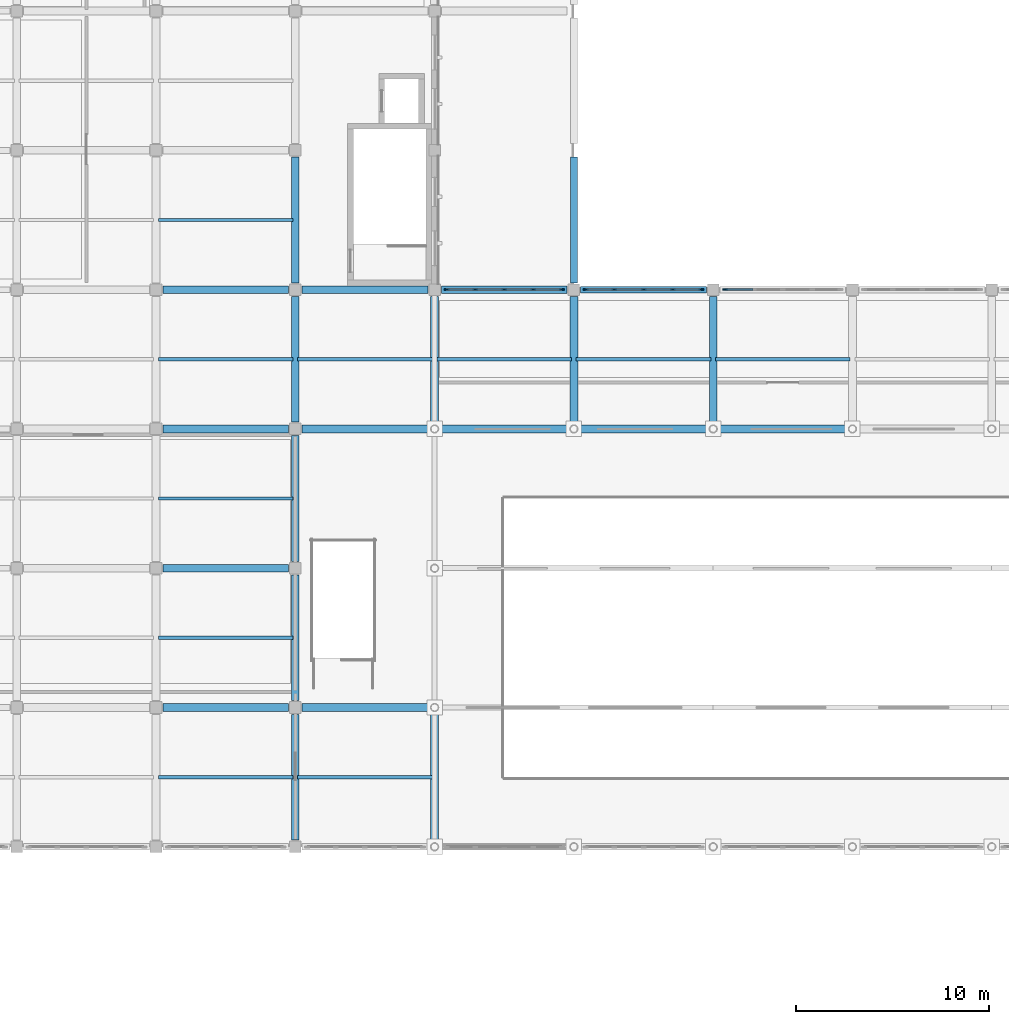
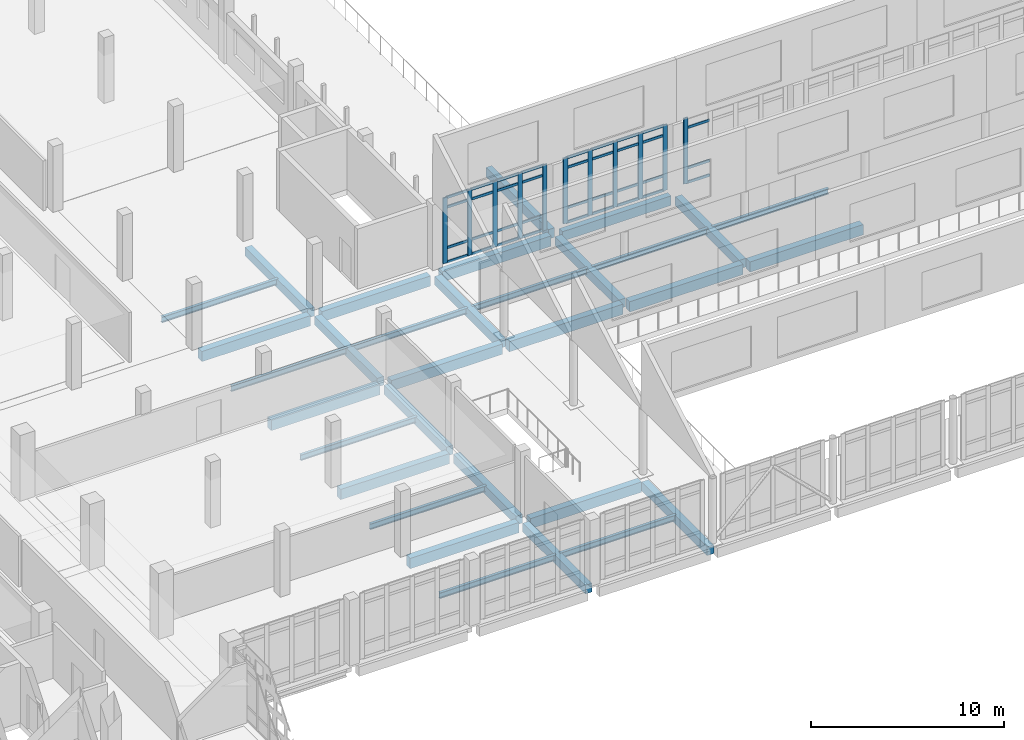
# One storey, part 14 of 62: 46 members, 32 beams, 3 elements without a shape of their own.
"""IFC4 building model written with IfcOpenShell, lengths in metres."""

from ifc_helpers import new_model, si_unit, direction, frame, origin, origin_2d, place, context, subcontext, project, spatial, rectangle, i_section, extrude, material, layer, layer_set, material_profile, profile_set, type_object, element, aggregate, save


model = new_model("IFC4")

# Units and contexts
model_context = context("Model", 3, precision=1e-05, world=origin(), true_north=direction((0.0, 1.0)))
body_context = subcontext(model_context, "Body", "Model", "MODEL_VIEW")
ifc_project = project(units=[si_unit("LENGTHUNIT", "METRE"), si_unit("AREAUNIT", "SQUARE_METRE"), si_unit("VOLUMEUNIT", "CUBIC_METRE"), si_unit("PLANEANGLEUNIT", "RADIAN"), si_unit("MASSUNIT", "GRAM", prefix="KILO")], contexts=[model_context])

# Site, building, storey
site_placement = place(None, origin())
site = spatial("IfcSite", under=ifc_project, at=site_placement, CompositionType="ELEMENT")
building_placement = place(site_placement, origin())
building = spatial("IfcBuilding", under=site, at=building_placement, Name="Valkovuoma Quantum and Materials Research Institute", CompositionType="ELEMENT")
storey_placement = place(building_placement, frame((0.0, 0.0, 13.1201171875)))
storey = spatial("IfcBuildingStorey", under=building, at=storey_placement, Name="L03", CompositionType="ELEMENT", Elevation=13.1201171875)

# Beams
ifc_material_1 = material(Name="Steel S355J2", Category="steel")
ifc_material_profile_1 = material_profile(ifc_material_1, i_section(OverallWidth=0.169921875, OverallDepth=0.360107421875, WebThickness=0.008056640625, FlangeThickness=0.0126953125, FilletRadius=0.01806640625, at=origin_2d()), Name="Steel S355J2")
ifc_profile_set_1 = profile_set([ifc_material_profile_1], Name="Steel S355J2")
beam_type_1 = type_object("IfcBeamType", Name="Beam-B-JST360", PredefinedType="JOIST", material=ifc_profile_set_1)
for number, where, z_axis, x_axis, name in (
    (1, (28.919921875, 39.60009765625, -0.530029296875), (1.0, 0.0, 0.0), (0.0, 1.0, 0.0), "L03 floor joist 1705"),
    (2, (36.1201171875, 39.60009765625, -0.530029296875), (1.0, 0.0, 0.0), (0.0, 1.0, 0.0), "L03 floor joist 1706"),
    (3, (28.919921875, 46.800048828125, -0.530029296875), (1.0, 0.0, 0.0), (0.0, 1.0, 0.0), "L03 floor joist 1716"),
    (4, (28.919921875, 54.0, -0.530029296875), (1.0, 0.0, 0.0), (0.0, 1.0, 0.0), "L03 floor joist 1726"),
    (5, (28.919921875, 61.199951171875, -0.530029296875), (1.0, 0.0, 0.0), (0.0, 1.0, 0.0), "L03 floor joist 1736"),
    (6, (36.1201171875, 61.199951171875, -0.530029296875), (1.0, 0.0, 0.0), (0.0, 1.0, 0.0), "L03 floor joist 1737"),
    (7, (43.320068359375, 61.199951171875, -0.530029296875), (1.0, 0.0, 0.0), (0.0, 1.0, 0.0), "L03 floor joist 1738"),
    (8, (50.52001953125, 61.199951171875, -0.530029296875), (1.0, 0.0, 0.0), (0.0, 1.0, 0.0), "L03 floor joist 1739"),
    (9, (57.719970703125, 61.199951171875, -0.530029296875), (1.0, 0.0, 0.0), (0.0, 1.0, 0.0), "L03 floor joist 1740"),
    (10, (28.919921875, 68.39990234375, -0.530029296875), (1.0, 0.0, 0.0), (0.0, 1.0, 0.0), "L03 floor joist 1754"),
):
    element("IfcBeam", number, at=place(storey_placement, frame(where, z_axis=z_axis, x_axis=x_axis)), inside=storey, type_object=beam_type_1, Name=name, PredefinedType="JOIST", context=body_context, shape_type="SweptSolid", body=[
        extrude(i_section(OverallWidth=0.169921875, OverallDepth=0.360107421875, WebThickness=0.008056640625, FlangeThickness=0.0126953125, FilletRadius=0.01806640625, at=origin_2d()), origin(), (0.0, 0.0, 1.0), 6.9599609375),
    ])
ifc_material_2 = material(Name="Concrete C40/50", Category="concrete")
ifc_material_profile_2 = material_profile(ifc_material_2, rectangle(XDim=0.39990234375, YDim=0.550048828125, at=origin_2d()), Name="Concrete C40/50")
ifc_profile_set_2 = profile_set([ifc_material_profile_2], Name="Concrete C40/50")
beam_type_2 = type_object("IfcBeamType", Name="Beam-B-RC550", PredefinedType="BEAM", material=ifc_profile_set_2)
for number, where, z_axis, x_axis, name in (
    (11, (36.0, 36.35009765625, -0.625), (0.0, 1.0, 0.0), (-1.0, 0.0, 0.0), "L03 beam Y-1605"),
    (12, (36.0, 43.550048828125, -0.625), (0.0, 1.0, 0.0), (-1.0, 0.0, 0.0), "L03 beam Y-1606"),
    (13, (36.0, 50.75, -0.625), (0.0, 1.0, 0.0), (-1.0, 0.0, 0.0), "L03 beam Y-1607"),
    (14, (36.0, 57.949951171875, -0.625), (0.0, 1.0, 0.0), (-1.0, 0.0, 0.0), "L03 beam Y-1608"),
    (15, (36.0, 65.14990234375, -0.625), (0.0, 1.0, 0.0), (-1.0, 0.0, 0.0), "L03 beam Y-1609"),
):
    element("IfcBeam", number, at=place(storey_placement, frame(where, z_axis=z_axis, x_axis=x_axis)), inside=storey, type_object=beam_type_2, Name=name, PredefinedType="BEAM", context=body_context, shape_type="SweptSolid", body=[
        extrude(rectangle(XDim=0.39990234375, YDim=0.550048828125, at=origin_2d()), origin(), (0.0, 0.0, 1.0), 6.5),
    ])
beam_1_placement = place(storey_placement, frame((43.199951171875, 36.203125, -0.625), z_axis=(0.0, 1.0, 0.0), x_axis=(-1.0, 0.0, 0.0)))
element("IfcBeam", 16, at=beam_1_placement, inside=storey, type_object=beam_type_2, Name="L03 beam Y-1615", PredefinedType="BEAM", context=body_context, shape_type="SweptSolid", body=[
    extrude(rectangle(XDim=0.39990234375, YDim=0.550048828125, at=origin_2d()), origin(), (0.0, 0.0, 1.0), 6.793701171875),
])
for number, where, z_axis, x_axis, name in (
    (17, (43.199951171875, 57.80322265625, -0.625), (0.0, 1.0, 0.0), (-1.0, 0.0, 0.0), "L03 beam Y-1616"),
    (18, (50.39990234375, 57.80322265625, -0.625), (0.0, 1.0, 0.0), (-1.0, 0.0, 0.0), "L03 beam Y-1621"),
    (19, (57.60009765625, 57.80322265625, -0.625), (0.0, 1.0, 0.0), (-1.0, 0.0, 0.0), "L03 beam Y-1628"),
):
    element("IfcBeam", number, at=place(storey_placement, frame(where, z_axis=z_axis, x_axis=x_axis)), inside=storey, type_object=beam_type_2, Name=name, PredefinedType="BEAM", context=body_context, shape_type="SweptSolid", body=[
        extrude(rectangle(XDim=0.39990234375, YDim=0.550048828125, at=origin_2d()), origin(), (0.0, 0.0, 1.0), 6.646728515625),
    ])
ifc_material_3 = material(Name="Concrete C40/50", Category="concrete")
ifc_material_profile_3 = material_profile(ifc_material_3, rectangle(XDim=0.39990234375, YDim=0.64990234375, at=origin_2d()), Name="Concrete C40/50")
ifc_profile_set_3 = profile_set([ifc_material_profile_3], Name="Concrete C40/50")
beam_type_3 = type_object("IfcBeamType", Name="Beam-B-RC650", PredefinedType="BEAM", material=ifc_profile_set_3)
beam_2_placement = place(storey_placement, frame((29.14990234375, 43.199951171875, -0.675048828125), z_axis=(1.0, 0.0, 0.0), x_axis=(0.0, 1.0, 0.0)))
element("IfcBeam", 20, at=beam_2_placement, inside=storey, type_object=beam_type_3, Name="L03 beam X-1447", PredefinedType="BEAM", context=body_context, shape_type="SweptSolid", body=[
    extrude(rectangle(XDim=0.39990234375, YDim=0.64990234375, at=origin_2d()), origin(), (0.0, 0.0, 1.0), 6.5),
])
beam_3_placement = place(storey_placement, frame((36.35009765625, 43.199951171875, -0.675048828125), z_axis=(1.0, 0.0, 0.0), x_axis=(0.0, 1.0, 0.0)))
element("IfcBeam", 21, at=beam_3_placement, inside=storey, type_object=beam_type_3, Name="L03 beam X-1448", PredefinedType="BEAM", context=body_context, shape_type="SweptSolid", body=[
    extrude(rectangle(XDim=0.39990234375, YDim=0.64990234375, at=origin_2d()), origin(), (0.0, 0.0, 1.0), 6.646728515625),
])
for number, where, z_axis, x_axis, name in (
    (22, (29.14990234375, 50.39990234375, -0.675048828125), (1.0, 0.0, 0.0), (0.0, 1.0, 0.0), "L03 beam X-1458"),
    (23, (29.14990234375, 57.60009765625, -0.675048828125), (1.0, 0.0, 0.0), (0.0, 1.0, 0.0), "L03 beam X-1468"),
):
    element("IfcBeam", number, at=place(storey_placement, frame(where, z_axis=z_axis, x_axis=x_axis)), inside=storey, type_object=beam_type_3, Name=name, PredefinedType="BEAM", context=body_context, shape_type="SweptSolid", body=[
        extrude(rectangle(XDim=0.39990234375, YDim=0.64990234375, at=origin_2d()), origin(), (0.0, 0.0, 1.0), 6.5),
    ])
beam_4_placement = place(storey_placement, frame((36.35009765625, 57.60009765625, -0.675048828125), z_axis=(1.0, 0.0, 0.0), x_axis=(0.0, 1.0, 0.0)))
element("IfcBeam", 24, at=beam_4_placement, inside=storey, type_object=beam_type_3, Name="L03 beam X-1469", PredefinedType="BEAM", context=body_context, shape_type="SweptSolid", body=[
    extrude(rectangle(XDim=0.39990234375, YDim=0.64990234375, at=origin_2d()), origin(), (0.0, 0.0, 1.0), 6.646728515625),
])
for number, where, z_axis, x_axis, name in (
    (25, (43.4033203125, 57.60009765625, -0.675048828125), (1.0, 0.0, 0.0), (0.0, 1.0, 0.0), "L03 beam X-1470"),
    (26, (50.603271484375, 57.60009765625, -0.675048828125), (1.0, 0.0, 0.0), (0.0, 1.0, 0.0), "L03 beam X-1471"),
    (27, (57.80322265625, 57.60009765625, -0.675048828125), (1.0, 0.0, 0.0), (0.0, 1.0, 0.0), "L03 beam X-1472"),
):
    element("IfcBeam", number, at=place(storey_placement, frame(where, z_axis=z_axis, x_axis=x_axis)), inside=storey, type_object=beam_type_3, Name=name, PredefinedType="BEAM", context=body_context, shape_type="SweptSolid", body=[
        extrude(rectangle(XDim=0.39990234375, YDim=0.64990234375, at=origin_2d()), origin(), (0.0, 0.0, 1.0), 6.79345703125),
    ])
for number, where, z_axis, x_axis, name in (
    (28, (29.14990234375, 64.800048828125, -0.675048828125), (1.0, 0.0, 0.0), (0.0, 1.0, 0.0), "L03 beam X-1487"),
    (29, (36.35009765625, 64.800048828125, -0.675048828125), (1.0, 0.0, 0.0), (0.0, 1.0, 0.0), "L03 beam X-1488"),
    (30, (43.550048828125, 64.800048828125, -0.675048828125), (1.0, 0.0, 0.0), (0.0, 1.0, 0.0), "L03 beam X-1489"),
):
    element("IfcBeam", number, at=place(storey_placement, frame(where, z_axis=z_axis, x_axis=x_axis)), inside=storey, type_object=beam_type_3, Name=name, PredefinedType="BEAM", context=body_context, shape_type="SweptSolid", body=[
        extrude(rectangle(XDim=0.39990234375, YDim=0.64990234375, at=origin_2d()), origin(), (0.0, 0.0, 1.0), 6.5),
    ])
ifc_material_4 = material(Name="Concrete C40/50", Category="concrete")
ifc_material_profile_4 = material_profile(ifc_material_4, rectangle(XDim=0.35009765625, YDim=0.60009765625, at=origin_2d()), Name="Concrete C40/50")
ifc_profile_set_4 = profile_set([ifc_material_profile_4], Name="Concrete C40/50")
beam_type_4 = type_object("IfcBeamType", Name="Beam-B-SPN600", PredefinedType="SPANDREL", material=ifc_profile_set_4)
for number, where, z_axis, x_axis, name in (
    (31, (50.75, 64.800048828125, -0.650146484375), (1.0, 0.0, 0.0), (0.0, 1.0, 0.0), "L03 beam X-1490"),
    (32, (50.39990234375, 65.14990234375, -0.650146484375), (0.0, 1.0, 0.0), (-1.0, 0.0, 0.0), "L03 beam Y-1622"),
):
    element("IfcBeam", number, at=place(storey_placement, frame(where, z_axis=z_axis, x_axis=x_axis)), inside=storey, type_object=beam_type_4, Name=name, PredefinedType="SPANDREL", context=body_context, shape_type="SweptSolid", body=[
        extrude(rectangle(XDim=0.35009765625, YDim=0.60009765625, at=origin_2d()), origin(), (0.0, 0.0, 1.0), 6.5),
    ])

# Curtain wall, members
ifc_material_5 = material(Name="Thermally broken aluminium and triple low-E glazing", Category="aluminium")
ifc_layer = layer(ifc_material_5, 0.219970703125)
ifc_layer_set = layer_set([ifc_layer], Name="Thermally broken aluminium and triple low-E glazing")
curtain_wall_type = type_object("IfcCurtainWallType", Name="CW-CW-02", PredefinedType="NOTDEFINED", material=ifc_layer_set)
curtain_wall_1_placement = place(storey_placement, origin())
curtain_wall_1 = element("IfcCurtainWall", 33, at=curtain_wall_1_placement, inside=storey, type_object=curtain_wall_type, Name="L03 curtain wall 211", PredefinedType="NOTDEFINED")
ifc_material_6 = material(Name="Anodised aluminium 6060-T66", Category="aluminium")
ifc_material_profile_5 = material_profile(ifc_material_6, rectangle(XDim=0.080078125, YDim=0.260009765625, at=origin_2d()), Name="Anodised aluminium 6060-T66")
ifc_profile_set_5 = profile_set([ifc_material_profile_5], Name="Anodised aluminium 6060-T66")
member_type_1 = type_object("IfcMemberType", Name="CWMull-CWM-03", PredefinedType="MULLION", material=ifc_profile_set_5)
member_1_placement = place(storey_placement, frame((43.820068359375, 64.800048828125, 0.0), z_axis=(0.0, 0.0, 1.0), x_axis=(0.0, 1.0, 0.0)))
member_1 = element("IfcMember", 34, at=member_1_placement, type_object=member_type_1, Name="CW-02 mullion 1", PredefinedType="MULLION", context=body_context, shape_type="SweptSolid", body=[
    extrude(rectangle(XDim=0.080078125, YDim=0.260009765625, at=origin_2d()), origin(), (0.0, 0.0, 1.0), 4.159912109375),
])
member_2_placement = place(storey_placement, frame((45.2900390625, 64.800048828125, 0.0), z_axis=(0.0, 0.0, 1.0), x_axis=(0.0, 1.0, 0.0)))
member_2 = element("IfcMember", 35, at=member_2_placement, type_object=member_type_1, Name="CW-02 mullion 2", PredefinedType="MULLION", context=body_context, shape_type="SweptSolid", body=[
    extrude(rectangle(XDim=0.080078125, YDim=0.260009765625, at=origin_2d()), origin(), (0.0, 0.0, 1.0), 4.159912109375),
])
member_3_placement = place(storey_placement, frame((46.800048828125, 64.800048828125, 0.0), z_axis=(0.0, 0.0, 1.0), x_axis=(0.0, 1.0, 0.0)))
member_3 = element("IfcMember", 36, at=member_3_placement, type_object=member_type_1, Name="CW-02 mullion 3", PredefinedType="MULLION", context=body_context, shape_type="SweptSolid", body=[
    extrude(rectangle(XDim=0.080078125, YDim=0.260009765625, at=origin_2d()), origin(), (0.0, 0.0, 1.0), 4.159912109375),
])
member_4_placement = place(storey_placement, frame((48.31005859375, 64.800048828125, 0.0), z_axis=(0.0, 0.0, 1.0), x_axis=(0.0, 1.0, 0.0)))
member_4 = element("IfcMember", 37, at=member_4_placement, type_object=member_type_1, Name="CW-02 mullion 4", PredefinedType="MULLION", context=body_context, shape_type="SweptSolid", body=[
    extrude(rectangle(XDim=0.080078125, YDim=0.260009765625, at=origin_2d()), origin(), (0.0, 0.0, 1.0), 4.159912109375),
])
member_5_placement = place(storey_placement, frame((49.780029296875, 64.800048828125, 0.0), z_axis=(0.0, 0.0, 1.0), x_axis=(0.0, 1.0, 0.0)))
member_5 = element("IfcMember", 38, at=member_5_placement, type_object=member_type_1, Name="CW-02 mullion 5", PredefinedType="MULLION", context=body_context, shape_type="SweptSolid", body=[
    extrude(rectangle(XDim=0.080078125, YDim=0.260009765625, at=origin_2d()), origin(), (0.0, 0.0, 1.0), 4.159912109375),
])

curtain_wall_2_placement = place(storey_placement, origin())
curtain_wall_2 = element("IfcCurtainWall", 39, at=curtain_wall_2_placement, inside=storey, type_object=curtain_wall_type, Name="L03 curtain wall 212", PredefinedType="NOTDEFINED")
member_6_placement = place(storey_placement, frame((51.02001953125, 64.800048828125, 0.0), z_axis=(0.0, 0.0, 1.0), x_axis=(0.0, 1.0, 0.0)))
member_6 = element("IfcMember", 40, at=member_6_placement, type_object=member_type_1, Name="CW-02 mullion 1", PredefinedType="MULLION", context=body_context, shape_type="SweptSolid", body=[
    extrude(rectangle(XDim=0.080078125, YDim=0.260009765625, at=origin_2d()), origin(), (0.0, 0.0, 1.0), 4.159912109375),
])
member_7_placement = place(storey_placement, frame((52.489990234375, 64.800048828125, 0.0), z_axis=(0.0, 0.0, 1.0), x_axis=(0.0, 1.0, 0.0)))
member_7 = element("IfcMember", 41, at=member_7_placement, type_object=member_type_1, Name="CW-02 mullion 2", PredefinedType="MULLION", context=body_context, shape_type="SweptSolid", body=[
    extrude(rectangle(XDim=0.080078125, YDim=0.260009765625, at=origin_2d()), origin(), (0.0, 0.0, 1.0), 4.159912109375),
])
member_8_placement = place(storey_placement, frame((54.0, 64.800048828125, 0.0), z_axis=(0.0, 0.0, 1.0), x_axis=(0.0, 1.0, 0.0)))
member_8 = element("IfcMember", 42, at=member_8_placement, type_object=member_type_1, Name="CW-02 mullion 3", PredefinedType="MULLION", context=body_context, shape_type="SweptSolid", body=[
    extrude(rectangle(XDim=0.080078125, YDim=0.260009765625, at=origin_2d()), origin(), (0.0, 0.0, 1.0), 4.159912109375),
])
member_9_placement = place(storey_placement, frame((55.510009765625, 64.800048828125, 0.0), z_axis=(0.0, 0.0, 1.0), x_axis=(0.0, 1.0, 0.0)))
member_9 = element("IfcMember", 43, at=member_9_placement, type_object=member_type_1, Name="CW-02 mullion 4", PredefinedType="MULLION", context=body_context, shape_type="SweptSolid", body=[
    extrude(rectangle(XDim=0.080078125, YDim=0.260009765625, at=origin_2d()), origin(), (0.0, 0.0, 1.0), 4.159912109375),
])
member_10_placement = place(storey_placement, frame((56.97998046875, 64.800048828125, 0.0), z_axis=(0.0, 0.0, 1.0), x_axis=(0.0, 1.0, 0.0)))
member_10 = element("IfcMember", 44, at=member_10_placement, type_object=member_type_1, Name="CW-02 mullion 5", PredefinedType="MULLION", context=body_context, shape_type="SweptSolid", body=[
    extrude(rectangle(XDim=0.080078125, YDim=0.260009765625, at=origin_2d()), origin(), (0.0, 0.0, 1.0), 4.159912109375),
])

# Curtain wall, member
curtain_wall_3_placement = place(storey_placement, origin())
curtain_wall_3 = element("IfcCurtainWall", 45, at=curtain_wall_3_placement, inside=storey, type_object=curtain_wall_type, Name="L03 curtain wall 213", PredefinedType="NOTDEFINED")
member_11_placement = place(storey_placement, frame((58.219970703125, 64.800048828125, 0.0), z_axis=(0.0, 0.0, 1.0), x_axis=(0.0, 1.0, 0.0)))
member_11 = element("IfcMember", 46, at=member_11_placement, type_object=member_type_1, Name="CW-02 mullion 1", PredefinedType="MULLION", context=body_context, shape_type="SweptSolid", body=[
    extrude(rectangle(XDim=0.080078125, YDim=0.260009765625, at=origin_2d()), origin(), (0.0, 0.0, 1.0), 4.159912109375),
])

# Member
ifc_material_7 = material(Name="Anodised aluminium 6060-T66", Category="aluminium")
ifc_material_profile_6 = material_profile(ifc_material_7, rectangle(XDim=0.074951171875, YDim=0.159912109375, at=origin_2d()), Name="Anodised aluminium 6060-T66")
ifc_profile_set_6 = profile_set([ifc_material_profile_6], Name="Anodised aluminium 6060-T66")
member_type_2 = type_object("IfcMemberType", Name="CWTran-CWT-02", PredefinedType="USERDEFINED", material=ifc_profile_set_6)
member_12_placement = place(storey_placement, frame((43.860107421875, 64.800048828125, 0.037353515625), z_axis=(1.0, 0.0, 0.0), x_axis=(0.0, 1.0, 0.0)))
member_12 = element("IfcMember", 47, at=member_12_placement, type_object=member_type_2, Name="CW-02 transom 1.1", ObjectType="TRANSOM", PredefinedType="USERDEFINED", context=body_context, shape_type="SweptSolid", body=[
    extrude(rectangle(XDim=0.074951171875, YDim=0.159912109375, at=origin_2d()), origin(), (0.0, 0.0, 1.0), 1.389892578125),
])

member_13_placement = place(storey_placement, frame((43.860107421875, 64.800048828125, 0.949951171875), z_axis=(1.0, 0.0, 0.0), x_axis=(0.0, 1.0, 0.0)))
member_13 = element("IfcMember", 48, at=member_13_placement, type_object=member_type_2, Name="CW-02 transom 1.2", ObjectType="TRANSOM", PredefinedType="USERDEFINED", context=body_context, shape_type="SweptSolid", body=[
    extrude(rectangle(XDim=0.074951171875, YDim=0.159912109375, at=origin_2d()), origin(), (0.0, 0.0, 1.0), 1.389892578125),
])

member_14_placement = place(storey_placement, frame((43.860107421875, 64.800048828125, 3.509765625), z_axis=(1.0, 0.0, 0.0), x_axis=(0.0, 1.0, 0.0)))
member_14 = element("IfcMember", 49, at=member_14_placement, type_object=member_type_2, Name="CW-02 transom 1.3", ObjectType="TRANSOM", PredefinedType="USERDEFINED", context=body_context, shape_type="SweptSolid", body=[
    extrude(rectangle(XDim=0.074951171875, YDim=0.159912109375, at=origin_2d()), origin(), (0.0, 0.0, 1.0), 1.389892578125),
])

member_15_placement = place(storey_placement, frame((43.860107421875, 64.800048828125, 4.122314453125), z_axis=(1.0, 0.0, 0.0), x_axis=(0.0, 1.0, 0.0)))
member_15 = element("IfcMember", 50, at=member_15_placement, type_object=member_type_2, Name="CW-02 transom 1.4", ObjectType="TRANSOM", PredefinedType="USERDEFINED", context=body_context, shape_type="SweptSolid", body=[
    extrude(rectangle(XDim=0.074951171875, YDim=0.159912109375, at=origin_2d()), origin(), (0.0, 0.0, 1.0), 1.389892578125),
])

member_16_placement = place(storey_placement, frame((45.330078125, 64.800048828125, 0.037353515625), z_axis=(1.0, 0.0, 0.0), x_axis=(0.0, 1.0, 0.0)))
member_16 = element("IfcMember", 51, at=member_16_placement, type_object=member_type_2, Name="CW-02 transom 2.1", ObjectType="TRANSOM", PredefinedType="USERDEFINED", context=body_context, shape_type="SweptSolid", body=[
    extrude(rectangle(XDim=0.074951171875, YDim=0.159912109375, at=origin_2d()), origin(), (0.0, 0.0, 1.0), 1.429931640625),
])

member_17_placement = place(storey_placement, frame((45.330078125, 64.800048828125, 0.949951171875), z_axis=(1.0, 0.0, 0.0), x_axis=(0.0, 1.0, 0.0)))
member_17 = element("IfcMember", 52, at=member_17_placement, type_object=member_type_2, Name="CW-02 transom 2.2", ObjectType="TRANSOM", PredefinedType="USERDEFINED", context=body_context, shape_type="SweptSolid", body=[
    extrude(rectangle(XDim=0.074951171875, YDim=0.159912109375, at=origin_2d()), origin(), (0.0, 0.0, 1.0), 1.429931640625),
])

member_18_placement = place(storey_placement, frame((45.330078125, 64.800048828125, 3.509765625), z_axis=(1.0, 0.0, 0.0), x_axis=(0.0, 1.0, 0.0)))
member_18 = element("IfcMember", 53, at=member_18_placement, type_object=member_type_2, Name="CW-02 transom 2.3", ObjectType="TRANSOM", PredefinedType="USERDEFINED", context=body_context, shape_type="SweptSolid", body=[
    extrude(rectangle(XDim=0.074951171875, YDim=0.159912109375, at=origin_2d()), origin(), (0.0, 0.0, 1.0), 1.429931640625),
])

member_19_placement = place(storey_placement, frame((45.330078125, 64.800048828125, 4.122314453125), z_axis=(1.0, 0.0, 0.0), x_axis=(0.0, 1.0, 0.0)))
member_19 = element("IfcMember", 54, at=member_19_placement, type_object=member_type_2, Name="CW-02 transom 2.4", ObjectType="TRANSOM", PredefinedType="USERDEFINED", context=body_context, shape_type="SweptSolid", body=[
    extrude(rectangle(XDim=0.074951171875, YDim=0.159912109375, at=origin_2d()), origin(), (0.0, 0.0, 1.0), 1.429931640625),
])

member_20_placement = place(storey_placement, frame((46.840087890625, 64.800048828125, 0.037353515625), z_axis=(1.0, 0.0, 0.0), x_axis=(0.0, 1.0, 0.0)))
member_20 = element("IfcMember", 55, at=member_20_placement, type_object=member_type_2, Name="CW-02 transom 3.1", ObjectType="TRANSOM", PredefinedType="USERDEFINED", context=body_context, shape_type="SweptSolid", body=[
    extrude(rectangle(XDim=0.074951171875, YDim=0.159912109375, at=origin_2d()), origin(), (0.0, 0.0, 1.0), 1.429931640625),
])

member_21_placement = place(storey_placement, frame((46.840087890625, 64.800048828125, 0.949951171875), z_axis=(1.0, 0.0, 0.0), x_axis=(0.0, 1.0, 0.0)))
member_21 = element("IfcMember", 56, at=member_21_placement, type_object=member_type_2, Name="CW-02 transom 3.2", ObjectType="TRANSOM", PredefinedType="USERDEFINED", context=body_context, shape_type="SweptSolid", body=[
    extrude(rectangle(XDim=0.074951171875, YDim=0.159912109375, at=origin_2d()), origin(), (0.0, 0.0, 1.0), 1.429931640625),
])

member_22_placement = place(storey_placement, frame((46.840087890625, 64.800048828125, 3.509765625), z_axis=(1.0, 0.0, 0.0), x_axis=(0.0, 1.0, 0.0)))
member_22 = element("IfcMember", 57, at=member_22_placement, type_object=member_type_2, Name="CW-02 transom 3.3", ObjectType="TRANSOM", PredefinedType="USERDEFINED", context=body_context, shape_type="SweptSolid", body=[
    extrude(rectangle(XDim=0.074951171875, YDim=0.159912109375, at=origin_2d()), origin(), (0.0, 0.0, 1.0), 1.429931640625),
])

member_23_placement = place(storey_placement, frame((46.840087890625, 64.800048828125, 4.122314453125), z_axis=(1.0, 0.0, 0.0), x_axis=(0.0, 1.0, 0.0)))
member_23 = element("IfcMember", 58, at=member_23_placement, type_object=member_type_2, Name="CW-02 transom 3.4", ObjectType="TRANSOM", PredefinedType="USERDEFINED", context=body_context, shape_type="SweptSolid", body=[
    extrude(rectangle(XDim=0.074951171875, YDim=0.159912109375, at=origin_2d()), origin(), (0.0, 0.0, 1.0), 1.429931640625),
])

member_24_placement = place(storey_placement, frame((48.35009765625, 64.800048828125, 0.037353515625), z_axis=(1.0, 0.0, 0.0), x_axis=(0.0, 1.0, 0.0)))
member_24 = element("IfcMember", 59, at=member_24_placement, type_object=member_type_2, Name="CW-02 transom 4.1", ObjectType="TRANSOM", PredefinedType="USERDEFINED", context=body_context, shape_type="SweptSolid", body=[
    extrude(rectangle(XDim=0.074951171875, YDim=0.159912109375, at=origin_2d()), origin(), (0.0, 0.0, 1.0), 1.389892578125),
])

member_25_placement = place(storey_placement, frame((48.35009765625, 64.800048828125, 0.949951171875), z_axis=(1.0, 0.0, 0.0), x_axis=(0.0, 1.0, 0.0)))
member_25 = element("IfcMember", 60, at=member_25_placement, type_object=member_type_2, Name="CW-02 transom 4.2", ObjectType="TRANSOM", PredefinedType="USERDEFINED", context=body_context, shape_type="SweptSolid", body=[
    extrude(rectangle(XDim=0.074951171875, YDim=0.159912109375, at=origin_2d()), origin(), (0.0, 0.0, 1.0), 1.389892578125),
])

member_26_placement = place(storey_placement, frame((48.35009765625, 64.800048828125, 3.509765625), z_axis=(1.0, 0.0, 0.0), x_axis=(0.0, 1.0, 0.0)))
member_26 = element("IfcMember", 61, at=member_26_placement, type_object=member_type_2, Name="CW-02 transom 4.3", ObjectType="TRANSOM", PredefinedType="USERDEFINED", context=body_context, shape_type="SweptSolid", body=[
    extrude(rectangle(XDim=0.074951171875, YDim=0.159912109375, at=origin_2d()), origin(), (0.0, 0.0, 1.0), 1.389892578125),
])

member_27_placement = place(storey_placement, frame((48.35009765625, 64.800048828125, 4.122314453125), z_axis=(1.0, 0.0, 0.0), x_axis=(0.0, 1.0, 0.0)))
member_27 = element("IfcMember", 62, at=member_27_placement, type_object=member_type_2, Name="CW-02 transom 4.4", ObjectType="TRANSOM", PredefinedType="USERDEFINED", context=body_context, shape_type="SweptSolid", body=[
    extrude(rectangle(XDim=0.074951171875, YDim=0.159912109375, at=origin_2d()), origin(), (0.0, 0.0, 1.0), 1.389892578125),
])

aggregate(curtain_wall_1, [member_1, member_2, member_3, member_4, member_5, member_12, member_13, member_14, member_15, member_16, member_17, member_18, member_19, member_20, member_21, member_22, member_23, member_24, member_25, member_26, member_27])

member_28_placement = place(storey_placement, frame((51.06005859375, 64.800048828125, 0.037353515625), z_axis=(1.0, 0.0, 0.0), x_axis=(0.0, 1.0, 0.0)))
member_28 = element("IfcMember", 63, at=member_28_placement, type_object=member_type_2, Name="CW-02 transom 1.1", ObjectType="TRANSOM", PredefinedType="USERDEFINED", context=body_context, shape_type="SweptSolid", body=[
    extrude(rectangle(XDim=0.074951171875, YDim=0.159912109375, at=origin_2d()), origin(), (0.0, 0.0, 1.0), 1.389892578125),
])

member_29_placement = place(storey_placement, frame((51.06005859375, 64.800048828125, 0.949951171875), z_axis=(1.0, 0.0, 0.0), x_axis=(0.0, 1.0, 0.0)))
member_29 = element("IfcMember", 64, at=member_29_placement, type_object=member_type_2, Name="CW-02 transom 1.2", ObjectType="TRANSOM", PredefinedType="USERDEFINED", context=body_context, shape_type="SweptSolid", body=[
    extrude(rectangle(XDim=0.074951171875, YDim=0.159912109375, at=origin_2d()), origin(), (0.0, 0.0, 1.0), 1.389892578125),
])

member_30_placement = place(storey_placement, frame((51.06005859375, 64.800048828125, 3.509765625), z_axis=(1.0, 0.0, 0.0), x_axis=(0.0, 1.0, 0.0)))
member_30 = element("IfcMember", 65, at=member_30_placement, type_object=member_type_2, Name="CW-02 transom 1.3", ObjectType="TRANSOM", PredefinedType="USERDEFINED", context=body_context, shape_type="SweptSolid", body=[
    extrude(rectangle(XDim=0.074951171875, YDim=0.159912109375, at=origin_2d()), origin(), (0.0, 0.0, 1.0), 1.389892578125),
])

member_31_placement = place(storey_placement, frame((51.06005859375, 64.800048828125, 4.122314453125), z_axis=(1.0, 0.0, 0.0), x_axis=(0.0, 1.0, 0.0)))
member_31 = element("IfcMember", 66, at=member_31_placement, type_object=member_type_2, Name="CW-02 transom 1.4", ObjectType="TRANSOM", PredefinedType="USERDEFINED", context=body_context, shape_type="SweptSolid", body=[
    extrude(rectangle(XDim=0.074951171875, YDim=0.159912109375, at=origin_2d()), origin(), (0.0, 0.0, 1.0), 1.389892578125),
])

member_32_placement = place(storey_placement, frame((52.530029296875, 64.800048828125, 0.037353515625), z_axis=(1.0, 0.0, 0.0), x_axis=(0.0, 1.0, 0.0)))
member_32 = element("IfcMember", 67, at=member_32_placement, type_object=member_type_2, Name="CW-02 transom 2.1", ObjectType="TRANSOM", PredefinedType="USERDEFINED", context=body_context, shape_type="SweptSolid", body=[
    extrude(rectangle(XDim=0.074951171875, YDim=0.159912109375, at=origin_2d()), origin(), (0.0, 0.0, 1.0), 1.429931640625),
])

member_33_placement = place(storey_placement, frame((52.530029296875, 64.800048828125, 0.949951171875), z_axis=(1.0, 0.0, 0.0), x_axis=(0.0, 1.0, 0.0)))
member_33 = element("IfcMember", 68, at=member_33_placement, type_object=member_type_2, Name="CW-02 transom 2.2", ObjectType="TRANSOM", PredefinedType="USERDEFINED", context=body_context, shape_type="SweptSolid", body=[
    extrude(rectangle(XDim=0.074951171875, YDim=0.159912109375, at=origin_2d()), origin(), (0.0, 0.0, 1.0), 1.429931640625),
])

member_34_placement = place(storey_placement, frame((52.530029296875, 64.800048828125, 3.509765625), z_axis=(1.0, 0.0, 0.0), x_axis=(0.0, 1.0, 0.0)))
member_34 = element("IfcMember", 69, at=member_34_placement, type_object=member_type_2, Name="CW-02 transom 2.3", ObjectType="TRANSOM", PredefinedType="USERDEFINED", context=body_context, shape_type="SweptSolid", body=[
    extrude(rectangle(XDim=0.074951171875, YDim=0.159912109375, at=origin_2d()), origin(), (0.0, 0.0, 1.0), 1.429931640625),
])

member_35_placement = place(storey_placement, frame((52.530029296875, 64.800048828125, 4.122314453125), z_axis=(1.0, 0.0, 0.0), x_axis=(0.0, 1.0, 0.0)))
member_35 = element("IfcMember", 70, at=member_35_placement, type_object=member_type_2, Name="CW-02 transom 2.4", ObjectType="TRANSOM", PredefinedType="USERDEFINED", context=body_context, shape_type="SweptSolid", body=[
    extrude(rectangle(XDim=0.074951171875, YDim=0.159912109375, at=origin_2d()), origin(), (0.0, 0.0, 1.0), 1.429931640625),
])

member_36_placement = place(storey_placement, frame((54.0400390625, 64.800048828125, 0.037353515625), z_axis=(1.0, 0.0, 0.0), x_axis=(0.0, 1.0, 0.0)))
member_36 = element("IfcMember", 71, at=member_36_placement, type_object=member_type_2, Name="CW-02 transom 3.1", ObjectType="TRANSOM", PredefinedType="USERDEFINED", context=body_context, shape_type="SweptSolid", body=[
    extrude(rectangle(XDim=0.074951171875, YDim=0.159912109375, at=origin_2d()), origin(), (0.0, 0.0, 1.0), 1.429931640625),
])

member_37_placement = place(storey_placement, frame((54.0400390625, 64.800048828125, 0.949951171875), z_axis=(1.0, 0.0, 0.0), x_axis=(0.0, 1.0, 0.0)))
member_37 = element("IfcMember", 72, at=member_37_placement, type_object=member_type_2, Name="CW-02 transom 3.2", ObjectType="TRANSOM", PredefinedType="USERDEFINED", context=body_context, shape_type="SweptSolid", body=[
    extrude(rectangle(XDim=0.074951171875, YDim=0.159912109375, at=origin_2d()), origin(), (0.0, 0.0, 1.0), 1.429931640625),
])

member_38_placement = place(storey_placement, frame((54.0400390625, 64.800048828125, 3.509765625), z_axis=(1.0, 0.0, 0.0), x_axis=(0.0, 1.0, 0.0)))
member_38 = element("IfcMember", 73, at=member_38_placement, type_object=member_type_2, Name="CW-02 transom 3.3", ObjectType="TRANSOM", PredefinedType="USERDEFINED", context=body_context, shape_type="SweptSolid", body=[
    extrude(rectangle(XDim=0.074951171875, YDim=0.159912109375, at=origin_2d()), origin(), (0.0, 0.0, 1.0), 1.429931640625),
])

member_39_placement = place(storey_placement, frame((54.0400390625, 64.800048828125, 4.122314453125), z_axis=(1.0, 0.0, 0.0), x_axis=(0.0, 1.0, 0.0)))
member_39 = element("IfcMember", 74, at=member_39_placement, type_object=member_type_2, Name="CW-02 transom 3.4", ObjectType="TRANSOM", PredefinedType="USERDEFINED", context=body_context, shape_type="SweptSolid", body=[
    extrude(rectangle(XDim=0.074951171875, YDim=0.159912109375, at=origin_2d()), origin(), (0.0, 0.0, 1.0), 1.429931640625),
])

member_40_placement = place(storey_placement, frame((55.550048828125, 64.800048828125, 0.037353515625), z_axis=(1.0, 0.0, 0.0), x_axis=(0.0, 1.0, 0.0)))
member_40 = element("IfcMember", 75, at=member_40_placement, type_object=member_type_2, Name="CW-02 transom 4.1", ObjectType="TRANSOM", PredefinedType="USERDEFINED", context=body_context, shape_type="SweptSolid", body=[
    extrude(rectangle(XDim=0.074951171875, YDim=0.159912109375, at=origin_2d()), origin(), (0.0, 0.0, 1.0), 1.389892578125),
])

member_41_placement = place(storey_placement, frame((55.550048828125, 64.800048828125, 0.949951171875), z_axis=(1.0, 0.0, 0.0), x_axis=(0.0, 1.0, 0.0)))
member_41 = element("IfcMember", 76, at=member_41_placement, type_object=member_type_2, Name="CW-02 transom 4.2", ObjectType="TRANSOM", PredefinedType="USERDEFINED", context=body_context, shape_type="SweptSolid", body=[
    extrude(rectangle(XDim=0.074951171875, YDim=0.159912109375, at=origin_2d()), origin(), (0.0, 0.0, 1.0), 1.389892578125),
])

member_42_placement = place(storey_placement, frame((55.550048828125, 64.800048828125, 3.509765625), z_axis=(1.0, 0.0, 0.0), x_axis=(0.0, 1.0, 0.0)))
member_42 = element("IfcMember", 77, at=member_42_placement, type_object=member_type_2, Name="CW-02 transom 4.3", ObjectType="TRANSOM", PredefinedType="USERDEFINED", context=body_context, shape_type="SweptSolid", body=[
    extrude(rectangle(XDim=0.074951171875, YDim=0.159912109375, at=origin_2d()), origin(), (0.0, 0.0, 1.0), 1.389892578125),
])

member_43_placement = place(storey_placement, frame((55.550048828125, 64.800048828125, 4.122314453125), z_axis=(1.0, 0.0, 0.0), x_axis=(0.0, 1.0, 0.0)))
member_43 = element("IfcMember", 78, at=member_43_placement, type_object=member_type_2, Name="CW-02 transom 4.4", ObjectType="TRANSOM", PredefinedType="USERDEFINED", context=body_context, shape_type="SweptSolid", body=[
    extrude(rectangle(XDim=0.074951171875, YDim=0.159912109375, at=origin_2d()), origin(), (0.0, 0.0, 1.0), 1.389892578125),
])

aggregate(curtain_wall_2, [member_6, member_7, member_8, member_9, member_10, member_28, member_29, member_30, member_31, member_32, member_33, member_34, member_35, member_36, member_37, member_38, member_39, member_40, member_41, member_42, member_43])

member_44_placement = place(storey_placement, frame((58.260009765625, 64.800048828125, 0.037353515625), z_axis=(1.0, 0.0, 0.0), x_axis=(0.0, 1.0, 0.0)))
member_44 = element("IfcMember", 79, at=member_44_placement, type_object=member_type_2, Name="CW-02 transom 1.1", ObjectType="TRANSOM", PredefinedType="USERDEFINED", context=body_context, shape_type="SweptSolid", body=[
    extrude(rectangle(XDim=0.074951171875, YDim=0.159912109375, at=origin_2d()), origin(), (0.0, 0.0, 1.0), 1.389892578125),
])

member_45_placement = place(storey_placement, frame((58.260009765625, 64.800048828125, 0.949951171875), z_axis=(1.0, 0.0, 0.0), x_axis=(0.0, 1.0, 0.0)))
member_45 = element("IfcMember", 80, at=member_45_placement, type_object=member_type_2, Name="CW-02 transom 1.2", ObjectType="TRANSOM", PredefinedType="USERDEFINED", context=body_context, shape_type="SweptSolid", body=[
    extrude(rectangle(XDim=0.074951171875, YDim=0.159912109375, at=origin_2d()), origin(), (0.0, 0.0, 1.0), 1.389892578125),
])

member_46_placement = place(storey_placement, frame((58.260009765625, 64.800048828125, 3.509765625), z_axis=(1.0, 0.0, 0.0), x_axis=(0.0, 1.0, 0.0)))
member_46 = element("IfcMember", 81, at=member_46_placement, type_object=member_type_2, Name="CW-02 transom 1.3", ObjectType="TRANSOM", PredefinedType="USERDEFINED", context=body_context, shape_type="SweptSolid", body=[
    extrude(rectangle(XDim=0.074951171875, YDim=0.159912109375, at=origin_2d()), origin(), (0.0, 0.0, 1.0), 1.389892578125),
])

aggregate(curtain_wall_3, [member_11, member_44, member_45, member_46])

save(model, "model.ifc")
